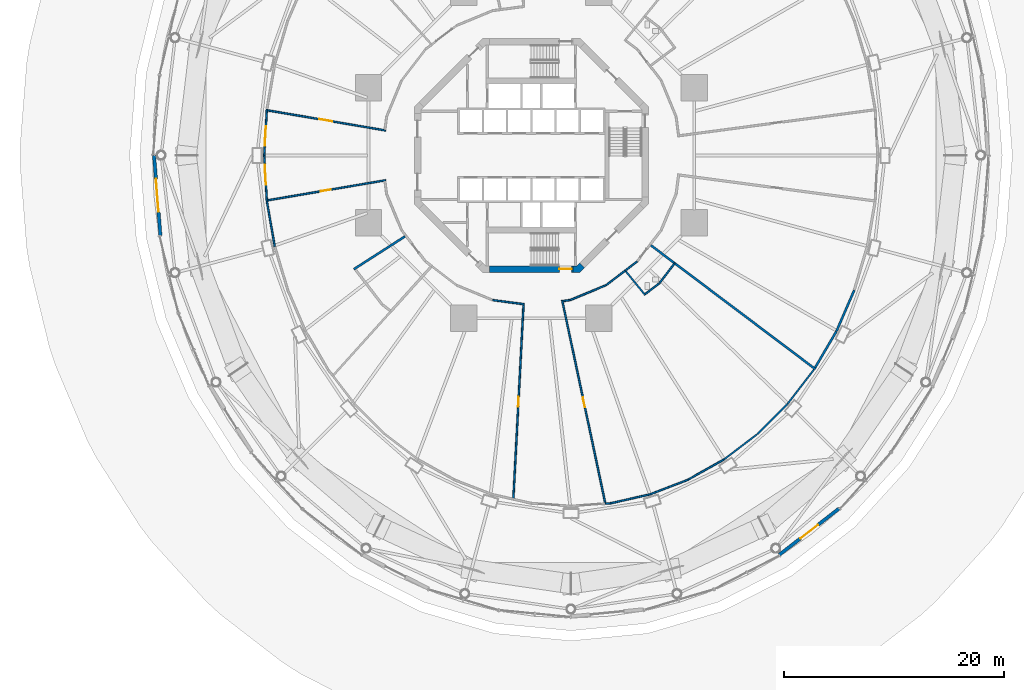
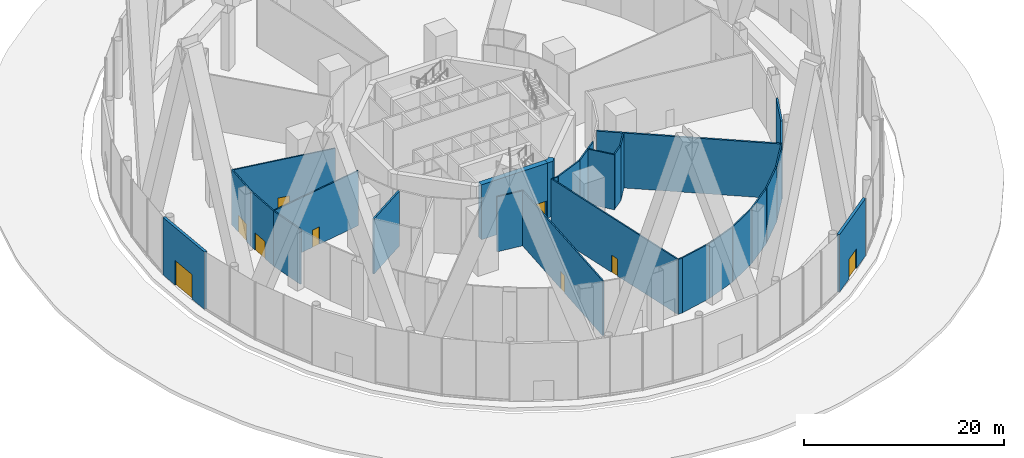
# One storey, part 58 of 67: 30 walls, 9 doors, 9 openings.
"""IFC4 building model written with IfcOpenShell, lengths in metres."""

from ifc_helpers import new_model, si_unit, direction, frame, frame_2d, origin, place, context, subcontext, project, spatial, polyline, rectangle, outline, extrude, material, layer, layer_set, type_object, element, fill, save


model = new_model("IFC4")

# Units and contexts
model_context = context("Model", 3, precision=1e-05, world=origin(), true_north=direction((0.0, 1.0)))
body_context = subcontext(model_context, "Body", "Model", "MODEL_VIEW")
ifc_project = project(units=[si_unit("LENGTHUNIT", "METRE"), si_unit("AREAUNIT", "SQUARE_METRE"), si_unit("VOLUMEUNIT", "CUBIC_METRE"), si_unit("PLANEANGLEUNIT", "RADIAN"), si_unit("MASSUNIT", "GRAM", prefix="KILO")], contexts=[model_context])

# Site, building, storey
site_placement = place(None, origin())
site = spatial("IfcSite", under=ifc_project, at=site_placement, CompositionType="ELEMENT")
building_placement = place(site_placement, origin())
building = spatial("IfcBuilding", under=site, at=building_placement, Name="Nagisa Residences", CompositionType="ELEMENT")
storey_placement = place(building_placement, origin())
storey = spatial("IfcBuildingStorey", under=building, at=storey_placement, Name="L00", CompositionType="ELEMENT", Elevation=0.0)

# Wall, opening, door
ifc_material_1 = material(Name="Concrete C60", Category="concrete")
ifc_layer_1 = layer(ifc_material_1, 0.60009765625)
ifc_layer_set_1 = layer_set([ifc_layer_1], Name="Core shear wall 600")
wall_type_1 = type_object("IfcWallType", Name="Core shear wall 600", PredefinedType="SHEAR", material=ifc_layer_set_1)
wall_1_placement = place(storey_placement, frame((-3.80078125, -10.32470703125, 0.0), z_axis=(0.0, 0.0, 1.0), x_axis=(1.0, 0.0, 0.0)))
wall_1 = element("IfcWall", 1, at=wall_1_placement, inside=storey, type_object=wall_type_1, Name="wall:L00:core:flat6", PredefinedType="SHEAR", context=body_context, shape_type="SweptSolid", body=[
    extrude(rectangle(XDim=7.6015625, YDim=0.60009765625, at=frame_2d((3.80078125, 0.0))), origin(), (0.0, 0.0, 1.0), 6.699951171875),
])
opening_1_placement = place(wall_1_placement, frame((6.350830078125, 0.0, 0.0)))
opening_1 = element("IfcOpeningElement", 2, at=opening_1_placement, cuts=wall_1, Name="Opening L00-C31", PredefinedType="OPENING", context=body_context, shape_type="SweptSolid", body=[
    extrude(rectangle(XDim=1.10009765625, YDim=2.10009765625, at=frame_2d((0.550048828125, 1.050048828125))), frame((0.0, 0.31005859375, 0.0), z_axis=(0.0, -1.0, 0.0), x_axis=(1.0, 0.0, 0.0)), (0.0, 0.0, 1.0), 0.6201171875),
])
ifc_material_2 = material(Name="Steel fire door", Category="steel")
door_type_1 = type_object("IfcDoorType", Name="Fire door EI60 1100x2100 single swing", OperationType="NOTDEFINED", PredefinedType="DOOR", material=ifc_material_2)
door_1_placement = place(opening_1_placement, frame((1.10009765625, 0.0, 0.0), x_axis=(-1.0, 0.0, 0.0)))
door_1 = element("IfcDoor", 3, at=door_1_placement, inside=storey, type_object=door_type_1, Name="Exit door stair S", OperationType="SINGLE_SWING_RIGHT", OverallHeight=2.10009765625, OverallWidth=1.10009765625, PredefinedType="DOOR", context=body_context, shape_type="SweptSolid", body=[
    extrude(rectangle(XDim=1.10009765625, YDim=2.10009765625, at=frame_2d((0.550048828125, 1.050048828125))), frame((0.0, 0.02490234375, 0.0), z_axis=(0.0, -1.0, 0.0), x_axis=(1.0, 0.0, 0.0)), (0.0, 0.0, 1.0), 0.050048828125),
])
fill(opening_1, door_1)

# Wall
wall_2_placement = place(storey_placement, origin())
element("IfcWall", 4, at=wall_2_placement, inside=storey, type_object=wall_type_1, Name="wall:L00:core:pier6", PredefinedType="SHEAR", context=body_context, shape_type="SweptSolid", body=[
    extrude(outline(polyline([(3.80078125, -10.62451171875), (3.80078125, -10.024658203125), (4.15234375, -10.024658203125), (4.40087890625, -9.776123046875), (4.8251953125, -10.200439453125), (4.40087890625, -10.62451171875), (3.80078125, -10.62451171875)])), origin(), (0.0, 0.0, 1.0), 6.699951171875),
])

# Wall, opening, door
ifc_material_3 = material(Name="Precast concrete C40/50", Category="concrete")
ifc_layer_2 = layer(ifc_material_3, 0.300048828125)
ifc_layer_set_2 = layer_set([ifc_layer_2], Name="ENTRANCE WALL 300")
wall_type_2 = type_object("IfcWallType", Name="ENTRANCE WALL 300", PredefinedType="SOLIDWALL", material=ifc_layer_set_2)
wall_3_placement = place(storey_placement, frame((-33.673095703125, -7.281494140625, 0.0), z_axis=(0.0, 0.0, 1.0), x_axis=(-0.078921540002, 0.996880830653, 0.0)))
wall_3 = element("IfcWall", 5, at=wall_3_placement, inside=storey, type_object=wall_type_2, Name="wall:L00:ent18", PredefinedType="SOLIDWALL", context=body_context, shape_type="SweptSolid", body=[
    extrude(rectangle(XDim=7.31591796875, YDim=0.300048828125, at=frame_2d((3.657958984375, 0.0))), origin(), (0.0, 0.0, 1.0), 7.0),
])
opening_2_placement = place(wall_3_placement, frame((2.157958984375, 0.0, 0.0)))
opening_2 = element("IfcOpeningElement", 6, at=opening_2_placement, cuts=wall_3, Name="Opening ED-03", PredefinedType="OPENING", context=body_context, shape_type="SweptSolid", body=[
    extrude(rectangle(XDim=3.0, YDim=3.0, at=frame_2d((1.5, 1.5))), frame((0.0, 0.159912109375, 0.0), z_axis=(0.0, -1.0, 0.0), x_axis=(1.0, 0.0, 0.0)), (0.0, 0.0, 1.0), 0.320068359375),
])
ifc_material_4 = material(Name="Stainless steel and clear glass", Category="steel")
door_type_2 = type_object("IfcDoorType", Name="ENTRANCE DOUBLE DOOR 3000x3000", OperationType="DOUBLE_DOOR_DOUBLE_SWING", PredefinedType="DOOR", material=ifc_material_4)
door_2_placement = place(opening_2_placement, origin())
door_2 = element("IfcDoor", 7, at=door_2_placement, inside=storey, type_object=door_type_2, Name="door:L00:ent18", OperationType="DOUBLE_DOOR_DOUBLE_SWING", OverallHeight=3.0, OverallWidth=3.0, PredefinedType="DOOR", context=body_context, shape_type="SweptSolid", body=[
    extrude(rectangle(XDim=3.0, YDim=3.0, at=frame_2d((1.5, 1.5))), frame((0.0, 0.02490234375, 0.0), z_axis=(0.0, -1.0, 0.0), x_axis=(1.0, 0.0, 0.0)), (0.0, 0.0, 1.0), 0.050048828125),
])
fill(opening_2, door_2)

wall_4_placement = place(storey_placement, frame((27.93408203125, -32.05517578125, 0.0), z_axis=(0.0, 0.0, 1.0), x_axis=(-0.790821490188, -0.612046869656, 0.0)))
wall_4 = element("IfcWall", 8, at=wall_4_placement, inside=storey, type_object=wall_type_2, Name="wall:L00:xit30", PredefinedType="SOLIDWALL", context=body_context, shape_type="SweptSolid", body=[
    extrude(rectangle(XDim=6.86083984375, YDim=0.300048828125, at=frame_2d((3.430419921875, 0.0))), origin(), (0.0, 0.0, 1.0), 7.0),
])
opening_3_placement = place(wall_4_placement, frame((2.430419921875, 0.0, 0.0)))
opening_3 = element("IfcOpeningElement", 9, at=opening_3_placement, cuts=wall_4, Name="Opening XD-07", PredefinedType="OPENING", context=body_context, shape_type="SweptSolid", body=[
    extrude(rectangle(XDim=2.0, YDim=2.39990234375, at=frame_2d((1.0, 1.199951171875))), frame((0.0, 0.159912109375, 0.0), z_axis=(0.0, -1.0, 0.0), x_axis=(1.0, 0.0, 0.0)), (0.0, 0.0, 1.0), 0.320068359375),
])
ifc_material_5 = material(Name="Stainless steel and clear glass", Category="steel")
door_type_3 = type_object("IfcDoorType", Name="EXIT DOUBLE DOOR 2000x2400", OperationType="DOUBLE_DOOR_SINGLE_SWING", PredefinedType="DOOR", material=ifc_material_5)
door_3_placement = place(opening_3_placement, origin())
door_3 = element("IfcDoor", 10, at=door_3_placement, inside=storey, type_object=door_type_3, Name="door:L00:xit30", OperationType="DOUBLE_DOOR_SINGLE_SWING", OverallHeight=2.39990234375, OverallWidth=2.0, PredefinedType="DOOR", context=body_context, shape_type="SweptSolid", body=[
    extrude(rectangle(XDim=2.0, YDim=2.39990234375, at=frame_2d((1.0, 1.199951171875))), frame((0.0, 0.02490234375, 0.0), z_axis=(0.0, -1.0, 0.0), x_axis=(1.0, 0.0, 0.0)), (0.0, 0.0, 1.0), 0.050048828125),
])
fill(opening_3, door_3)

# Walls
ifc_material_6 = material(Name="Gypsum board on steel studs", Category="steel")
ifc_layer_3 = layer(ifc_material_6, 0.199951171875)
ifc_layer_set_3 = layer_set([ifc_layer_3], Name="Plant room wall EI120 200")
wall_type_3 = type_object("IfcWallType", Name="Plant room wall EI120 200", PredefinedType="PARTITIONING", material=ifc_layer_set_3)
wall_5_placement = place(storey_placement, frame((-16.12109375, -10.3388671875, 0.0), z_axis=(0.0, 0.0, 1.0), x_axis=(0.841785859203, 0.539811603474, 0.0)))
element("IfcWall", 11, at=wall_5_placement, inside=storey, type_object=wall_type_3, Name="wall:L00:am082", PredefinedType="PARTITIONING", context=body_context, shape_type="SweptSolid", body=[
    extrude(rectangle(XDim=5.51953125, YDim=0.199951171875, at=frame_2d((2.759765625, 0.0))), origin(), (0.0, 0.0, 1.0), 6.699951171875),
])
wall_6_placement = place(storey_placement, frame((25.788330078125, -19.409912109375, 0.0), z_axis=(0.0, 0.0, 1.0), x_axis=(-0.798975382821, 0.601363731568, 0.0)))
element("IfcWall", 12, at=wall_6_placement, inside=storey, type_object=wall_type_3, Name="wall:L00:am092", PredefinedType="PARTITIONING", context=body_context, shape_type="SweptSolid", body=[
    extrude(rectangle(XDim=18.6923828125, YDim=0.199951171875, at=frame_2d((9.34619140625, 0.0))), origin(), (0.0, 0.0, 1.0), 6.699951171875),
])
wall_7_placement = place(storey_placement, frame((27.683349609375, -15.9853515625, 0.0), z_axis=(0.0, 0.0, 1.0), x_axis=(-0.506329356613, -0.862340178022, 0.0)))
element("IfcWall", 13, at=wall_7_placement, inside=storey, type_object=wall_type_3, Name="wall:L00:am093", PredefinedType="PARTITIONING", context=body_context, shape_type="SweptSolid", body=[
    extrude(rectangle(XDim=3.800537109375, YDim=0.199951171875, at=frame_2d((1.900390625, 0.0))), origin(), (0.0, 0.0, 1.0), 6.699951171875),
])
wall_8_placement = place(storey_placement, frame((29.306884765625, -12.241455078125, 0.0), z_axis=(0.0, 0.0, 1.0), x_axis=(-0.397627665093, -0.917546859813, 0.0)))
element("IfcWall", 14, at=wall_8_placement, inside=storey, type_object=wall_type_3, Name="wall:L00:am094", PredefinedType="PARTITIONING", context=body_context, shape_type="SweptSolid", body=[
    extrude(rectangle(XDim=4.064697265625, YDim=0.199951171875, at=frame_2d((2.0322265625, 0.0))), origin(), (0.0, 0.0, 1.0), 6.699951171875),
])

# Wall, opening, door
ifc_material_7 = material(Name="Gypsum board on steel studs", Category="steel")
ifc_layer_4 = layer(ifc_material_7, 0.14990234375)
ifc_layer_set_4 = layer_set([ifc_layer_4], Name="Room partition EI60 150")
wall_type_4 = type_object("IfcWallType", Name="Room partition EI60 150", PredefinedType="PARTITIONING", material=ifc_layer_set_4)
wall_9_placement = place(storey_placement, frame((-24.247802734375, 0.00634765625, 0.0), z_axis=(0.0, 0.0, 1.0), x_axis=(0.05750459233, 0.998345241818, 0.0)))
wall_9 = element("IfcWall", 15, at=wall_9_placement, inside=storey, type_object=wall_type_4, Name="wall:L00:am000", PredefinedType="PARTITIONING", context=body_context, shape_type="SweptSolid", body=[
    extrude(rectangle(XDim=4.17333984375, YDim=0.14990234375, at=frame_2d((2.086669921875, 0.0))), origin(), (0.0, 0.0, 1.0), 6.699951171875),
])
opening_4_placement = place(wall_9_placement, frame((0.86181640625, 0.0, 0.0)))
opening_4 = element("IfcOpeningElement", 16, at=opening_4_placement, cuts=wall_9, Name="Opening L00-A14", PredefinedType="OPENING", context=body_context, shape_type="SweptSolid", body=[
    extrude(rectangle(XDim=1.800048828125, YDim=2.10009765625, at=frame_2d((0.89990234375, 1.050048828125))), frame((0.0, 0.0849609375, 0.0), z_axis=(0.0, -1.0, 0.0), x_axis=(1.0, 0.0, 0.0)), (0.0, 0.0, 1.0), 0.169921875),
])
ifc_material_8 = material(Name="Steel fire door", Category="steel")
door_type_4 = type_object("IfcDoorType", Name="Fire door EI30 1800x2100 double door single swing", OperationType="DOUBLE_DOOR_SINGLE_SWING", PredefinedType="DOOR", material=ifc_material_8)
door_4_placement = place(opening_4_placement, origin())
door_4 = element("IfcDoor", 17, at=door_4_placement, inside=storey, type_object=door_type_4, Name="Entrance hall west and exit corridor exit door", OperationType="DOUBLE_DOOR_SINGLE_SWING", OverallHeight=2.10009765625, OverallWidth=1.800048828125, PredefinedType="DOOR", context=body_context, shape_type="SweptSolid", body=[
    extrude(rectangle(XDim=1.800048828125, YDim=2.10009765625, at=frame_2d((0.89990234375, 1.050048828125))), frame((0.0, 0.02490234375, 0.0), z_axis=(0.0, -1.0, 0.0), x_axis=(1.0, 0.0, 0.0)), (0.0, 0.0, 1.0), 0.050048828125),
])
fill(opening_4, door_4)

wall_10_placement = place(storey_placement, frame((-24.0078125, -4.1728515625, 0.0), z_axis=(0.0, 0.0, 1.0), x_axis=(-0.05750459233, 0.998345241818, 0.0)))
wall_10 = element("IfcWall", 18, at=wall_10_placement, inside=storey, type_object=wall_type_4, Name="wall:L00:am001", PredefinedType="PARTITIONING", context=body_context, shape_type="SweptSolid", body=[
    extrude(rectangle(XDim=4.17333984375, YDim=0.14990234375, at=frame_2d((2.086669921875, 0.0))), origin(), (0.0, 0.0, 1.0), 6.699951171875),
])
opening_5_placement = place(wall_10_placement, frame((1.51171875, 0.0, 0.0)))
opening_5 = element("IfcOpeningElement", 19, at=opening_5_placement, cuts=wall_10, Name="Opening L00-A15", PredefinedType="OPENING", context=body_context, shape_type="SweptSolid", body=[
    extrude(rectangle(XDim=1.800048828125, YDim=2.10009765625, at=frame_2d((0.89990234375, 1.050048828125))), frame((0.0, 0.0849609375, 0.0), z_axis=(0.0, -1.0, 0.0), x_axis=(1.0, 0.0, 0.0)), (0.0, 0.0, 1.0), 0.169921875),
])
door_5_placement = place(opening_5_placement, origin())
door_5 = element("IfcDoor", 20, at=door_5_placement, inside=storey, type_object=door_type_4, Name="Entrance hall west and exit corridor exit door", OperationType="DOUBLE_DOOR_SINGLE_SWING", OverallHeight=2.10009765625, OverallWidth=1.800048828125, PredefinedType="DOOR", context=body_context, shape_type="SweptSolid", body=[
    extrude(rectangle(XDim=1.800048828125, YDim=2.10009765625, at=frame_2d((0.89990234375, 1.050048828125))), frame((0.0, 0.02490234375, 0.0), z_axis=(0.0, -1.0, 0.0), x_axis=(1.0, 0.0, 0.0)), (0.0, 0.0, 1.0), 0.050048828125),
])
fill(opening_5, door_5)

wall_11_placement = place(storey_placement, frame((-23.937744140625, 4.084716796875, 0.0), z_axis=(0.0, 0.0, 1.0), x_axis=(0.985751332255, -0.168209128636, 0.0)))
wall_11 = element("IfcWall", 21, at=wall_11_placement, inside=storey, type_object=wall_type_4, Name="wall:L00:am002", PredefinedType="PARTITIONING", context=body_context, shape_type="SweptSolid", body=[
    extrude(rectangle(XDim=10.865234375, YDim=0.14990234375, at=frame_2d((5.4326171875, 0.0))), origin(), (0.0, 0.0, 1.0), 6.699951171875),
])
opening_6_placement = place(wall_11_placement, frame((4.75732421875, 0.0, 0.0)))
opening_6 = element("IfcOpeningElement", 22, at=opening_6_placement, cuts=wall_11, Name="Opening L00-A05", PredefinedType="OPENING", context=body_context, shape_type="SweptSolid", body=[
    extrude(rectangle(XDim=1.199951171875, YDim=2.10009765625, at=frame_2d((0.60009765625, 1.050048828125))), frame((0.0, 0.0849609375, 0.0), z_axis=(0.0, -1.0, 0.0), x_axis=(1.0, 0.0, 0.0)), (0.0, 0.0, 1.0), 0.169921875),
])
ifc_material_9 = material(Name="Steel fire door", Category="steel")
door_type_5 = type_object("IfcDoorType", Name="Fire door EI30 1200x2100 single swing", OperationType="NOTDEFINED", PredefinedType="DOOR", material=ifc_material_9)
door_6_placement = place(opening_6_placement, frame((1.199951171875, 0.0, 0.0), x_axis=(-1.0, 0.0, 0.0)))
door_6 = element("IfcDoor", 23, at=door_6_placement, inside=storey, type_object=door_type_5, Name="Exhibition rooms door", OperationType="SINGLE_SWING_RIGHT", OverallHeight=2.10009765625, OverallWidth=1.199951171875, PredefinedType="DOOR", context=body_context, shape_type="SweptSolid", body=[
    extrude(rectangle(XDim=1.199951171875, YDim=2.10009765625, at=frame_2d((0.60009765625, 1.050048828125))), frame((0.0, 0.02490234375, 0.0), z_axis=(0.0, -1.0, 0.0), x_axis=(1.0, 0.0, 0.0)), (0.0, 0.0, 1.0), 0.050048828125),
])
fill(opening_6, door_6)

# Wall
wall_12_placement = place(storey_placement, frame((-23.291748046875, -8.2705078125, 0.0), z_axis=(0.0, 0.0, 1.0), x_axis=(-0.172163826112, 0.985068331122, 0.0)))
element("IfcWall", 24, at=wall_12_placement, inside=storey, type_object=wall_type_4, Name="wall:L00:am004", PredefinedType="PARTITIONING", context=body_context, shape_type="SweptSolid", body=[
    extrude(rectangle(XDim=4.15771484375, YDim=0.14990234375, at=frame_2d((2.078857421875, 0.0))), origin(), (0.0, 0.0, 1.0), 6.699951171875),
])

# Wall, opening, door
wall_13_placement = place(storey_placement, frame((-13.227294921875, -2.257080078125, 0.0), z_axis=(0.0, 0.0, 1.0), x_axis=(-0.985751332255, -0.168209128636, 0.0)))
wall_13 = element("IfcWall", 25, at=wall_13_placement, inside=storey, type_object=wall_type_4, Name="wall:L00:am015", PredefinedType="PARTITIONING", context=body_context, shape_type="SweptSolid", body=[
    extrude(rectangle(XDim=10.865234375, YDim=0.14990234375, at=frame_2d((5.4326171875, 0.0))), origin(), (0.0, 0.0, 1.0), 6.699951171875),
])
opening_7_placement = place(wall_13_placement, frame((5.057861328125, 0.0, 0.0)))
opening_7 = element("IfcOpeningElement", 26, at=opening_7_placement, cuts=wall_13, Name="Opening L00-A07", PredefinedType="OPENING", context=body_context, shape_type="SweptSolid", body=[
    extrude(rectangle(XDim=0.89990234375, YDim=2.10009765625, at=frame_2d((0.449951171875, 1.050048828125))), frame((0.0, 0.0849609375, 0.0), z_axis=(0.0, -1.0, 0.0), x_axis=(1.0, 0.0, 0.0)), (0.0, 0.0, 1.0), 0.169921875),
])
ifc_material_10 = material(Name="Steel fire door", Category="steel")
door_type_6 = type_object("IfcDoorType", Name="Fire door EI30 900x2100 single swing", OperationType="NOTDEFINED", PredefinedType="DOOR", material=ifc_material_10)
door_7_placement = place(opening_7_placement, origin())
door_7 = element("IfcDoor", 27, at=door_7_placement, inside=storey, type_object=door_type_6, Name="Tea house door", OperationType="SINGLE_SWING_LEFT", OverallHeight=2.10009765625, OverallWidth=0.89990234375, PredefinedType="DOOR", context=body_context, shape_type="SweptSolid", body=[
    extrude(rectangle(XDim=0.89990234375, YDim=2.10009765625, at=frame_2d((0.449951171875, 1.050048828125))), frame((0.0, 0.02490234375, 0.0), z_axis=(0.0, -1.0, 0.0), x_axis=(1.0, 0.0, 0.0)), (0.0, 0.0, 1.0), 0.050048828125),
])
fill(opening_7, door_7)

# Wall
wall_14_placement = place(storey_placement, frame((-3.508056640625, -13.13818359375, 0.0), z_axis=(0.0, 0.0, 1.0), x_axis=(0.991447129366, -0.130508963951, 0.0)))
element("IfcWall", 28, at=wall_14_placement, inside=storey, type_object=wall_type_4, Name="wall:L00:am034", PredefinedType="PARTITIONING", context=body_context, shape_type="SweptSolid", body=[
    extrude(rectangle(XDim=2.899658203125, YDim=0.14990234375, at=frame_2d((1.44970703125, 0.0))), origin(), (0.0, 0.0, 1.0), 6.699951171875),
])

# Wall, opening, door
wall_15_placement = place(storey_placement, frame((-0.7119140625, -13.58203125, 0.0), z_axis=(0.0, 0.0, 1.0), x_axis=(-0.052338659043, -0.998629393103, 0.0)))
wall_15 = element("IfcWall", 29, at=wall_15_placement, inside=storey, type_object=wall_type_4, Name="wall:L00:am040", PredefinedType="PARTITIONING", context=body_context, shape_type="SweptSolid", body=[
    extrude(rectangle(XDim=17.576416015625, YDim=0.14990234375, at=frame_2d((8.7880859375, 0.0))), origin(), (0.0, 0.0, 1.0), 6.699951171875),
])
opening_8_placement = place(wall_15_placement, frame((8.338623046875, 0.0, 0.0)))
opening_8 = element("IfcOpeningElement", 30, at=opening_8_placement, cuts=wall_15, Name="Opening L00-A08", PredefinedType="OPENING", context=body_context, shape_type="SweptSolid", body=[
    extrude(rectangle(XDim=0.89990234375, YDim=2.10009765625, at=frame_2d((0.449951171875, 1.050048828125))), frame((0.0, 0.0849609375, 0.0), z_axis=(0.0, -1.0, 0.0), x_axis=(1.0, 0.0, 0.0)), (0.0, 0.0, 1.0), 0.169921875),
])
door_8_placement = place(opening_8_placement, frame((0.89990234375, 0.0, 0.0), x_axis=(-1.0, 0.0, 0.0)))
door_8 = element("IfcDoor", 31, at=door_8_placement, inside=storey, type_object=door_type_6, Name="Bicycle and mobility store door", OperationType="SINGLE_SWING_LEFT", OverallHeight=2.10009765625, OverallWidth=0.89990234375, PredefinedType="DOOR", context=body_context, shape_type="SweptSolid", body=[
    extrude(rectangle(XDim=0.89990234375, YDim=2.10009765625, at=frame_2d((0.449951171875, 1.050048828125))), frame((0.0, 0.02490234375, 0.0), z_axis=(0.0, -1.0, 0.0), x_axis=(1.0, 0.0, 0.0)), (0.0, 0.0, 1.0), 0.050048828125),
])
fill(opening_8, door_8)

wall_16_placement = place(storey_placement, frame((2.79638671875, -13.15625, 0.0), z_axis=(0.0, 0.0, 1.0), x_axis=(0.207917792027, -0.978146303862, 0.0)))
wall_16 = element("IfcWall", 32, at=wall_16_placement, inside=storey, type_object=wall_type_4, Name="wall:L00:am044", PredefinedType="PARTITIONING", context=body_context, shape_type="SweptSolid", body=[
    extrude(rectangle(XDim=18.79443359375, YDim=0.14990234375, at=frame_2d((9.397216796875, 0.0))), origin(), (0.0, 0.0, 1.0), 6.699951171875),
])
opening_9_placement = place(wall_16_placement, frame((9.022705078125, 0.0, 0.0)))
opening_9 = element("IfcOpeningElement", 33, at=opening_9_placement, cuts=wall_16, Name="Opening L00-A10", PredefinedType="OPENING", context=body_context, shape_type="SweptSolid", body=[
    extrude(rectangle(XDim=0.89990234375, YDim=2.10009765625, at=frame_2d((0.449951171875, 1.050048828125))), frame((0.0, 0.0849609375, 0.0), z_axis=(0.0, -1.0, 0.0), x_axis=(1.0, 0.0, 0.0)), (0.0, 0.0, 1.0), 0.169921875),
])
door_9_placement = place(opening_9_placement, origin())
door_9 = element("IfcDoor", 34, at=door_9_placement, inside=storey, type_object=door_type_6, Name="Mail room and delivery store door", OperationType="SINGLE_SWING_RIGHT", OverallHeight=2.10009765625, OverallWidth=0.89990234375, PredefinedType="DOOR", context=body_context, shape_type="SweptSolid", body=[
    extrude(rectangle(XDim=0.89990234375, YDim=2.10009765625, at=frame_2d((0.449951171875, 1.050048828125))), frame((0.0, 0.02490234375, 0.0), z_axis=(0.0, -1.0, 0.0), x_axis=(1.0, 0.0, 0.0)), (0.0, 0.0, 1.0), 0.050048828125),
])
fill(opening_9, door_9)

# Walls
wall_17_placement = place(storey_placement, frame((3.508056640625, -13.13818359375, 0.0), z_axis=(0.0, 0.0, 1.0), x_axis=(-0.991447664465, -0.130504898859, 0.0)))
element("IfcWall", 35, at=wall_17_placement, inside=storey, type_object=wall_type_4, Name="wall:L00:am045", PredefinedType="PARTITIONING", context=body_context, shape_type="SweptSolid", body=[
    extrude(rectangle(XDim=0.626708984375, YDim=0.14990234375, at=frame_2d((0.3134765625, 0.0))), origin(), (0.0, 0.0, 1.0), 6.699951171875),
])
wall_18_placement = place(storey_placement, frame((6.7890625, -11.782470703125, 0.0), z_axis=(0.0, 0.0, 1.0), x_axis=(-0.923881838111, -0.382677866108, 0.0)))
element("IfcWall", 36, at=wall_18_placement, inside=storey, type_object=wall_type_4, Name="wall:L00:am049", PredefinedType="PARTITIONING", context=body_context, shape_type="SweptSolid", body=[
    extrude(rectangle(XDim=3.52685546875, YDim=0.14990234375, at=frame_2d((1.763427734375, 0.0))), origin(), (0.0, 0.0, 1.0), 6.699951171875),
])
wall_19_placement = place(storey_placement, frame((7.20703125, -31.577880859375, 0.0), z_axis=(0.0, 0.0, 1.0), x_axis=(-0.997262298747, -0.073945300709, 0.0)))
element("IfcWall", 37, at=wall_19_placement, inside=storey, type_object=wall_type_4, Name="wall:L00:am050", PredefinedType="PARTITIONING", context=body_context, shape_type="SweptSolid", body=[
    extrude(rectangle(XDim=0.488525390625, YDim=0.14990234375, at=frame_2d((0.244140625, 0.0))), origin(), (0.0, 0.0, 1.0), 6.699951171875),
])
wall_20_placement = place(storey_placement, frame((8.519287109375, -10.458740234375, 0.0), z_axis=(0.0, 0.0, 1.0), x_axis=(-0.793372937326, -0.608735888805, 0.0)))
element("IfcWall", 38, at=wall_20_placement, inside=storey, type_object=wall_type_4, Name="wall:L00:am051", PredefinedType="PARTITIONING", context=body_context, shape_type="SweptSolid", body=[
    extrude(rectangle(XDim=2.1552734375, YDim=0.14990234375, at=frame_2d((1.07763671875, 0.0))), origin(), (0.0, 0.0, 1.0), 6.699951171875),
])
wall_21_placement = place(storey_placement, frame((9.607177734375, -9.6240234375, 0.0), z_axis=(0.0, 0.0, 1.0), x_axis=(-0.793371316762, -0.6087380009, 0.0)))
element("IfcWall", 39, at=wall_21_placement, inside=storey, type_object=wall_type_4, Name="wall:L00:am053", PredefinedType="PARTITIONING", context=body_context, shape_type="SweptSolid", body=[
    extrude(rectangle(XDim=1.371337890625, YDim=0.14990234375, at=frame_2d((0.685546875, 0.0))), origin(), (0.0, 0.0, 1.0), 6.699951171875),
])
wall_22_placement = place(storey_placement, frame((10.335693359375, -12.68896484375, 0.0), z_axis=(0.0, 0.0, 1.0), x_axis=(-0.631537140908, 0.775345625934, 0.0)))
element("IfcWall", 40, at=wall_22_placement, inside=storey, type_object=wall_type_4, Name="wall:L00:am055", PredefinedType="PARTITIONING", context=body_context, shape_type="SweptSolid", body=[
    extrude(rectangle(XDim=2.80126953125, YDim=0.14990234375, at=frame_2d((1.400634765625, 0.0))), origin(), (0.0, 0.0, 1.0), 6.699951171875),
])
wall_23_placement = place(storey_placement, frame((10.762451171875, -30.774169921875, 0.0), z_axis=(0.0, 0.0, 1.0), x_axis=(-0.975334612021, -0.220731498873, 0.0)))
element("IfcWall", 41, at=wall_23_placement, inside=storey, type_object=wall_type_4, Name="wall:L00:am058", PredefinedType="PARTITIONING", context=body_context, shape_type="SweptSolid", body=[
    extrude(rectangle(XDim=3.630126953125, YDim=0.14990234375, at=frame_2d((1.81494140625, 0.0))), origin(), (0.0, 0.0, 1.0), 6.699951171875),
])
wall_24_placement = place(storey_placement, frame((11.604248046875, -11.620849609375, 0.0), z_axis=(0.0, 0.0, 1.0), x_axis=(-0.793385500572, -0.608719514622, 0.0)))
element("IfcWall", 42, at=wall_24_placement, inside=storey, type_object=wall_type_4, Name="wall:L00:am061", PredefinedType="PARTITIONING", context=body_context, shape_type="SweptSolid", body=[
    extrude(rectangle(XDim=1.583740234375, YDim=0.14990234375, at=frame_2d((0.7919921875, 0.0))), origin(), (0.0, 0.0, 1.0), 6.699951171875),
])
wall_25_placement = place(storey_placement, frame((13.0107421875, -9.792724609375, 0.0), z_axis=(0.0, 0.0, 1.0), x_axis=(-0.60872331989, -0.793382580992, 0.0)))
element("IfcWall", 43, at=wall_25_placement, inside=storey, type_object=wall_type_4, Name="wall:L00:am064", PredefinedType="PARTITIONING", context=body_context, shape_type="SweptSolid", body=[
    extrude(rectangle(XDim=2.283203125, YDim=0.14990234375, at=frame_2d((1.1416015625, 0.0))), origin(), (0.0, 0.0, 1.0), 6.699951171875),
])
wall_26_placement = place(storey_placement, frame((14.199951171875, -29.447509765625, 0.0), z_axis=(0.0, 0.0, 1.0), x_axis=(-0.932825072941, -0.360329548181, 0.0)))
element("IfcWall", 44, at=wall_26_placement, inside=storey, type_object=wall_type_4, Name="wall:L00:am068", PredefinedType="PARTITIONING", context=body_context, shape_type="SweptSolid", body=[
    extrude(rectangle(XDim=3.669677734375, YDim=0.14990234375, at=frame_2d((1.8349609375, 0.0))), origin(), (0.0, 0.0, 1.0), 6.699951171875),
])
wall_27_placement = place(storey_placement, frame((17.461181640625, -27.61865234375, 0.0), z_axis=(0.0, 0.0, 1.0), x_axis=(-0.872065260979, -0.489389600005, 0.0)))
element("IfcWall", 45, at=wall_27_placement, inside=storey, type_object=wall_type_4, Name="wall:L00:am069", PredefinedType="PARTITIONING", context=body_context, shape_type="SweptSolid", body=[
    extrude(rectangle(XDim=3.724609375, YDim=0.14990234375, at=frame_2d((1.8623046875, 0.0))), origin(), (0.0, 0.0, 1.0), 6.699951171875),
])
wall_28_placement = place(storey_placement, frame((20.490966796875, -25.316162109375, 0.0), z_axis=(0.0, 0.0, 1.0), x_axis=(-0.796018224109, -0.605272654996, 0.0)))
element("IfcWall", 46, at=wall_28_placement, inside=storey, type_object=wall_type_4, Name="wall:L00:am070", PredefinedType="PARTITIONING", context=body_context, shape_type="SweptSolid", body=[
    extrude(rectangle(XDim=3.791259765625, YDim=0.14990234375, at=frame_2d((1.8955078125, 0.0))), origin(), (0.0, 0.0, 1.0), 6.699951171875),
])
wall_29_placement = place(storey_placement, frame((23.23583984375, -22.578125, 0.0), z_axis=(0.0, 0.0, 1.0), x_axis=(-0.707801601764, -0.706411277189, 0.0)))
element("IfcWall", 47, at=wall_29_placement, inside=storey, type_object=wall_type_4, Name="wall:L00:am072", PredefinedType="PARTITIONING", context=body_context, shape_type="SweptSolid", body=[
    extrude(rectangle(XDim=3.86328125, YDim=0.14990234375, at=frame_2d((1.931640625, 0.0))), origin(), (0.0, 0.0, 1.0), 6.699951171875),
])
wall_30_placement = place(storey_placement, frame((25.652099609375, -19.4443359375, 0.0), z_axis=(0.0, 0.0, 1.0), x_axis=(-0.610389727001, -0.792101244269, 0.0)))
element("IfcWall", 48, at=wall_30_placement, inside=storey, type_object=wall_type_4, Name="wall:L00:am074", PredefinedType="PARTITIONING", context=body_context, shape_type="SweptSolid", body=[
    extrude(rectangle(XDim=3.943359375, YDim=0.14990234375, at=frame_2d((1.9716796875, 0.0))), origin(), (0.0, 0.0, 1.0), 6.699951171875),
])

save(model, "model.ifc")
